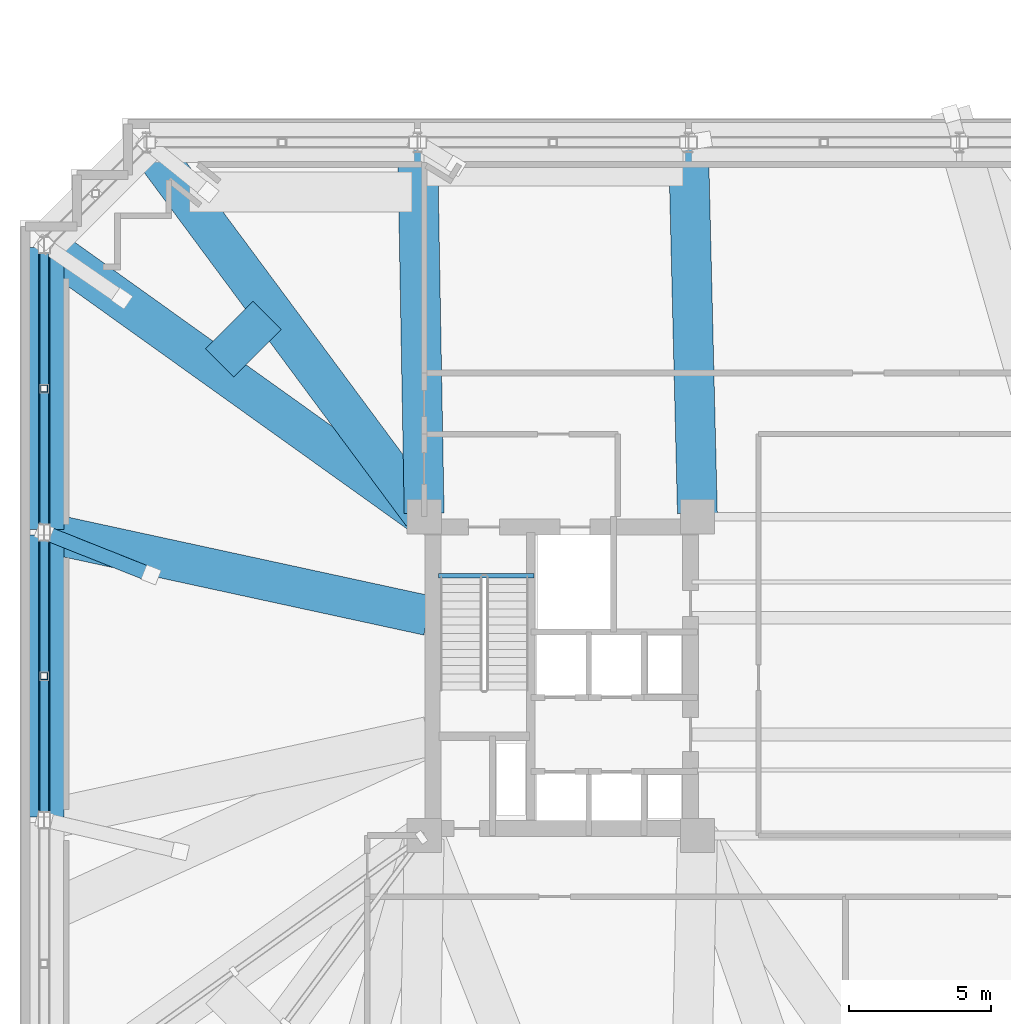
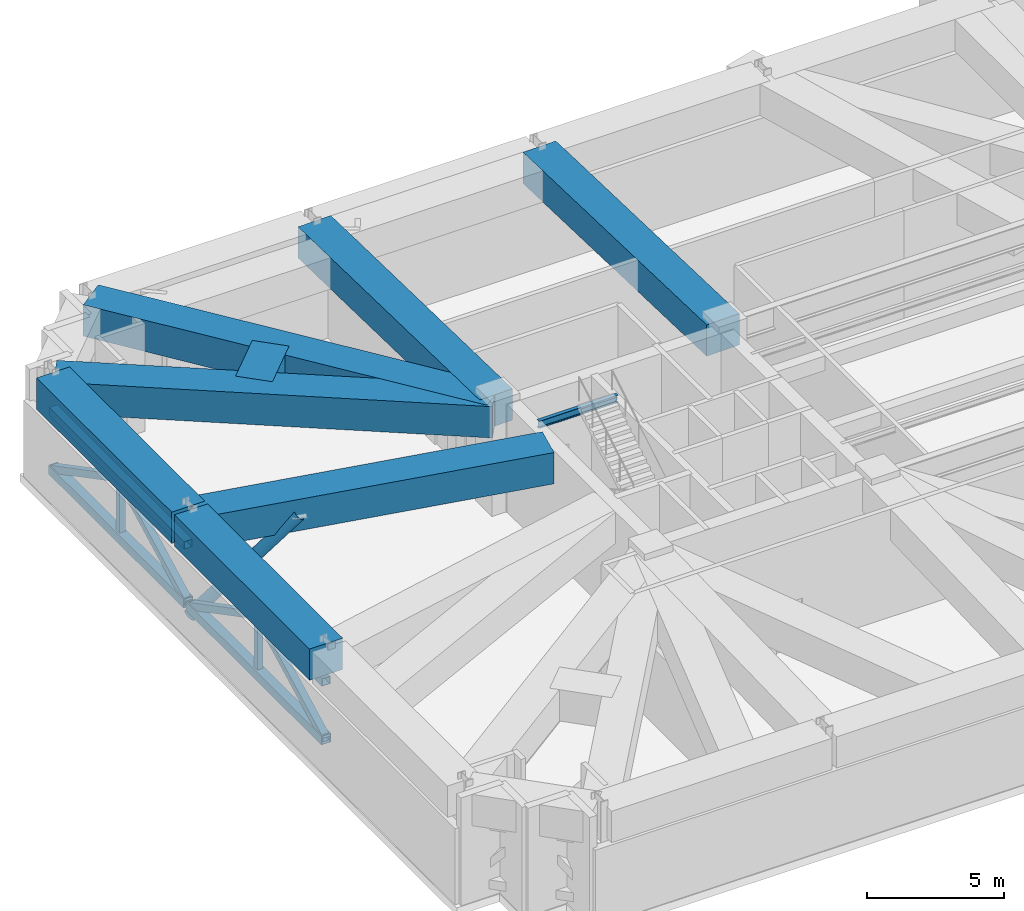
# One storey, part 5 of 20: 11 members, 9 beams.
"""IFC4 building model written with IfcOpenShell, lengths in metres."""

from ifc_helpers import new_model, si_unit, direction, frame, origin, origin_2d, place, context, subcontext, project, spatial, rectangle, hollow_rectangle, hollow_circle, i_section, extrude, material, material_profile, profile_set, type_object, element, save


model = new_model("IFC4")

# Units and contexts
model_context = context("Model", 3, precision=1e-05, world=origin(), true_north=direction((0.0, 1.0)))
body_context = subcontext(model_context, "Body", "Model", "MODEL_VIEW")
ifc_project = project(units=[si_unit("LENGTHUNIT", "METRE"), si_unit("AREAUNIT", "SQUARE_METRE"), si_unit("VOLUMEUNIT", "CUBIC_METRE"), si_unit("PLANEANGLEUNIT", "RADIAN"), si_unit("MASSUNIT", "GRAM", prefix="KILO")], contexts=[model_context])

# Site, building, storey
site_placement = place(None, origin())
site = spatial("IfcSite", under=ifc_project, at=site_placement, CompositionType="ELEMENT")
building_placement = place(site_placement, origin())
building = spatial("IfcBuilding", under=site, at=building_placement, Name="Qobustan Lattice House", CompositionType="ELEMENT")
storey_placement = place(building_placement, frame((0.0, 0.0, 73.89990234375)))
storey = spatial("IfcBuildingStorey", under=building, at=storey_placement, Name="L20", CompositionType="ELEMENT", Elevation=73.89990234375)

# Beams
ifc_material_1 = material(Name="Steel S355", Category="steel")
ifc_material_profile_1 = material_profile(ifc_material_1, i_section(OverallWidth=0.159912109375, OverallDepth=0.330078125, WebThickness=0.007568359375, FlangeThickness=0.011474609375, FilletRadius=0.01806640625, at=origin_2d()), Name="IPE330")
ifc_profile_set_1 = profile_set([ifc_material_profile_1], Name="Steel S355")
beam_type_1 = type_object("IfcBeamType", Name="BM-SPD-IPE330", PredefinedType="SPANDREL", material=ifc_profile_set_1)
beam_1_placement = place(storey_placement, frame((-18.300048828125, 3.52001953125, 4.655029296875), z_axis=(1.0, 0.0, 0.0), x_axis=(0.0, 1.0, 0.0)))
element("IfcBeam", 1, at=beam_1_placement, inside=storey, type_object=beam_type_1, Name="L20 west stair landing trimmer beam", PredefinedType="SPANDREL", context=body_context, shape_type="SweptSolid", body=[
    extrude(i_section(OverallWidth=0.159912109375, OverallDepth=0.330078125, WebThickness=0.007568359375, FlangeThickness=0.011474609375, FilletRadius=0.01806640625, at=origin_2d()), origin(), (0.0, 0.0, 1.0), 3.35009765625),
])
ifc_material_2 = material(Name="Concrete C60/75", Category="concrete")
ifc_material_profile_2 = material_profile(ifc_material_2, rectangle(XDim=1.39990234375, YDim=1.39990234375, at=origin_2d()), Name="RC1400x1400")
ifc_profile_set_2 = profile_set([ifc_material_profile_2], Name="Concrete C60/75")
beam_type_2 = type_object("IfcBeamType", Name="BM-TRG-RC1400", PredefinedType="USERDEFINED", material=ifc_profile_set_2)
beam_2_placement = place(storey_placement, frame((-32.14990234375, 15.050048828125, 4.1201171875), z_axis=(0.0, -1.0, 0.0), x_axis=(1.0, 0.0, 0.0)))
element("IfcBeam", 2, at=beam_2_placement, inside=storey, type_object=beam_type_2, Name="L20 TT1 lower perimeter transfer girder W1-W2", ObjectType="GIRDER", PredefinedType="USERDEFINED", context=body_context, shape_type="SweptSolid", body=[
    extrude(rectangle(XDim=1.39990234375, YDim=1.39990234375, at=origin_2d()), origin(), (0.0, 0.0, 1.0), 9.900146484375),
])
beam_3_placement = place(storey_placement, frame((-32.14990234375, 4.949951171875, 4.1201171875), z_axis=(0.0, -1.0, 0.0), x_axis=(1.0, 0.0, 0.0)))
element("IfcBeam", 3, at=beam_3_placement, inside=storey, type_object=beam_type_2, Name="L20 TT1 lower perimeter transfer girder W2-W3", ObjectType="GIRDER", PredefinedType="USERDEFINED", context=body_context, shape_type="SweptSolid", body=[
    extrude(rectangle(XDim=1.39990234375, YDim=1.39990234375, at=origin_2d()), origin(), (0.0, 0.0, 1.0), 9.89990234375),
])
beam_4_placement = place(storey_placement, frame((-9.202880859375, 5.719970703125, 4.1201171875), z_axis=(-0.024085750634, 0.999709896228, 0.0), x_axis=(-0.999709896228, -0.024085750634, 0.0)))
element("IfcBeam", 4, at=beam_4_placement, inside=storey, type_object=beam_type_2, Name="L20 TT1 radial transfer girder N5", ObjectType="GIRDER", PredefinedType="USERDEFINED", context=body_context, shape_type="SweptSolid", body=[
    extrude(rectangle(XDim=1.39990234375, YDim=1.39990234375, at=origin_2d()), origin(), (0.0, 0.0, 1.0), 12.91357421875),
])
beam_5_placement = place(storey_placement, frame((-18.802001953125, 5.719970703125, 4.1201171875), z_axis=(-0.017754722816, 0.999842372486, 0.0), x_axis=(-0.999842372486, -0.017754722816, 0.0)))
element("IfcBeam", 5, at=beam_5_placement, inside=storey, type_object=beam_type_2, Name="L20 TT1 radial transfer girder N6", ObjectType="GIRDER", PredefinedType="USERDEFINED", context=body_context, shape_type="SweptSolid", body=[
    extrude(rectangle(XDim=1.39990234375, YDim=1.39990234375, at=origin_2d()), origin(), (0.0, 0.0, 1.0), 12.911865234375),
])
beam_6_placement = place(storey_placement, frame((-18.87158203125, 5.6962890625, 4.1201171875), z_axis=(-0.595585839157, 0.803291670688, 0.0), x_axis=(-0.803291670688, -0.595585839157, 0.0)))
element("IfcBeam", 6, at=beam_6_placement, inside=storey, type_object=beam_type_2, Name="L20 TT1 radial transfer girder N7", ObjectType="GIRDER", PredefinedType="USERDEFINED", context=body_context, shape_type="SweptSolid", body=[
    extrude(rectangle(XDim=1.39990234375, YDim=1.39990234375, at=origin_2d()), origin(), (0.0, 0.0, 1.0), 16.130126953125),
])
beam_7_placement = place(storey_placement, frame((-18.897705078125, 5.669921875, 4.1201171875), z_axis=(-0.813327350359, 0.581806343347, 0.0), x_axis=(-0.581806343347, -0.813327350359, 0.0)))
element("IfcBeam", 7, at=beam_7_placement, inside=storey, type_object=beam_type_2, Name="L20 TT1 radial transfer girder W1", ObjectType="GIRDER", PredefinedType="USERDEFINED", context=body_context, shape_type="SweptSolid", body=[
    extrude(rectangle(XDim=1.39990234375, YDim=1.39990234375, at=origin_2d()), origin(), (0.0, 0.0, 1.0), 16.174072265625),
])
beam_8_placement = place(storey_placement, frame((-18.667236328125, 2.12548828125, 4.1201171875), z_axis=(-0.977272930784, 0.211984949366, 0.0), x_axis=(-0.211984949366, -0.977272930784, 0.0)))
element("IfcBeam", 8, at=beam_8_placement, inside=storey, type_object=beam_type_2, Name="L20 TT1 radial transfer girder W2", ObjectType="GIRDER", PredefinedType="USERDEFINED", context=body_context, shape_type="SweptSolid", body=[
    extrude(rectangle(XDim=1.39990234375, YDim=1.39990234375, at=origin_2d()), origin(), (0.0, 0.0, 1.0), 13.67626953125),
])
beam_9_placement = place(storey_placement, frame((-24.318115234375, 12.677001953125, 4.1201171875), z_axis=(-0.707055056174, -0.707158502415, 0.0), x_axis=(0.707158502415, -0.707055056174, 0.0)))
element("IfcBeam", 9, at=beam_9_placement, inside=storey, type_object=beam_type_2, Name="L20 TT1 quadrant transfer tie girder 2", ObjectType="GIRDER", PredefinedType="USERDEFINED", context=body_context, shape_type="SweptSolid", body=[
    extrude(rectangle(XDim=1.39990234375, YDim=1.39990234375, at=origin_2d()), origin(), (0.0, 0.0, 1.0), 2.360107421875),
])

# Members
ifc_material_3 = material(Name="Steel S355", Category="steel")
ifc_material_profile_3 = material_profile(ifc_material_3, hollow_rectangle(XDim=0.300048828125, YDim=0.300048828125, WallThickness=0.01611328125, at=origin_2d()), Name="SHS300x300x16")
ifc_profile_set_3 = profile_set([ifc_material_profile_3], Name="Steel S355")
member_type_1 = type_object("IfcMemberType", Name="MEM-BRC-SHS300", PredefinedType="BRACE", material=ifc_profile_set_3)
member_1_placement = place(storey_placement, frame((-32.14990234375, 15.050048828125, 0.550048828125), z_axis=(0.0, -0.886033314842, 0.463621575199), x_axis=(1.0, 0.0, 0.0)))
element("IfcMember", 10, at=member_1_placement, inside=storey, type_object=member_type_1, Name="L20 TT1 belt truss web diagonal W1-W2 A", PredefinedType="BRACE", context=body_context, shape_type="SweptSolid", body=[
    extrude(hollow_rectangle(XDim=0.300048828125, YDim=0.300048828125, WallThickness=0.01611328125, at=origin_2d()), origin(), (0.0, 0.0, 1.0), 5.586669921875),
])
member_2_placement = place(storey_placement, frame((-32.14990234375, 10.10009765625, 3.14013671875), z_axis=(0.0, -0.886042707559, -0.463603624211), x_axis=(1.0, 0.0, 0.0)))
element("IfcMember", 11, at=member_2_placement, inside=storey, type_object=member_type_1, Name="L20 TT1 belt truss web diagonal W1-W2 B", PredefinedType="BRACE", context=body_context, shape_type="SweptSolid", body=[
    extrude(hollow_rectangle(XDim=0.300048828125, YDim=0.300048828125, WallThickness=0.01611328125, at=origin_2d()), origin(), (0.0, 0.0, 1.0), 5.5869140625),
])
for number, where, z_axis, x_axis, name in (
    (12, (-32.14990234375, 4.949951171875, 0.550048828125), (0.0, -0.886033314842, 0.463621575199), (1.0, 0.0, 0.0), "L20 TT1 belt truss web diagonal W2-W3 A"),
    (13, (-32.14990234375, 0.0, 3.14013671875), (0.0, -0.886033314842, -0.463621575199), (1.0, 0.0, 0.0), "L20 TT1 belt truss web diagonal W2-W3 B"),
):
    element("IfcMember", number, at=place(storey_placement, frame(where, z_axis=z_axis, x_axis=x_axis)), inside=storey, type_object=member_type_1, Name=name, PredefinedType="BRACE", context=body_context, shape_type="SweptSolid", body=[
        extrude(hollow_rectangle(XDim=0.300048828125, YDim=0.300048828125, WallThickness=0.01611328125, at=origin_2d()), origin(), (0.0, 0.0, 1.0), 5.586669921875),
    ])
ifc_material_4 = material(Name="Steel S355", Category="steel")
ifc_material_profile_4 = material_profile(ifc_material_4, hollow_rectangle(XDim=0.35009765625, YDim=0.35009765625, WallThickness=0.01611328125, at=origin_2d()), Name="SHS350x350x16")
ifc_profile_set_4 = profile_set([ifc_material_profile_4], Name="Steel S355")
member_type_2 = type_object("IfcMemberType", Name="MEM-CHD-SHS350", PredefinedType="CHORD", material=ifc_profile_set_4)
member_3_placement = place(storey_placement, frame((-32.14990234375, 15.050048828125, 3.14013671875), z_axis=(0.0, -1.0, 0.0), x_axis=(1.0, 0.0, 0.0)))
element("IfcMember", 14, at=member_3_placement, inside=storey, type_object=member_type_2, Name="L20 TT1 belt truss top chord W1-W2", PredefinedType="CHORD", context=body_context, shape_type="SweptSolid", body=[
    extrude(hollow_rectangle(XDim=0.35009765625, YDim=0.35009765625, WallThickness=0.01611328125, at=origin_2d()), origin(), (0.0, 0.0, 1.0), 9.900146484375),
])
member_4_placement = place(storey_placement, frame((-32.14990234375, 4.949951171875, 3.14013671875), z_axis=(0.0, -1.0, 0.0), x_axis=(1.0, 0.0, 0.0)))
element("IfcMember", 15, at=member_4_placement, inside=storey, type_object=member_type_2, Name="L20 TT1 belt truss top chord W2-W3", PredefinedType="CHORD", context=body_context, shape_type="SweptSolid", body=[
    extrude(hollow_rectangle(XDim=0.35009765625, YDim=0.35009765625, WallThickness=0.01611328125, at=origin_2d()), origin(), (0.0, 0.0, 1.0), 9.89990234375),
])
ifc_material_5 = material(Name="Steel S355", Category="steel")
ifc_material_profile_5 = material_profile(ifc_material_5, hollow_rectangle(XDim=0.39990234375, YDim=0.39990234375, WallThickness=0.02001953125, at=origin_2d()), Name="SHS400x400x20")
ifc_profile_set_5 = profile_set([ifc_material_profile_5], Name="Steel S355")
member_type_3 = type_object("IfcMemberType", Name="MEM-CHD-SHS400", PredefinedType="CHORD", material=ifc_profile_set_5)
member_5_placement = place(storey_placement, frame((-32.14990234375, 15.050048828125, 0.550048828125), z_axis=(0.0, -1.0, 0.0), x_axis=(1.0, 0.0, 0.0)))
element("IfcMember", 16, at=member_5_placement, inside=storey, type_object=member_type_3, Name="L20 TT1 belt truss bottom chord W1-W2", PredefinedType="CHORD", context=body_context, shape_type="SweptSolid", body=[
    extrude(hollow_rectangle(XDim=0.39990234375, YDim=0.39990234375, WallThickness=0.02001953125, at=origin_2d()), origin(), (0.0, 0.0, 1.0), 9.900146484375),
])
member_6_placement = place(storey_placement, frame((-32.14990234375, 4.949951171875, 0.550048828125), z_axis=(0.0, -1.0, 0.0), x_axis=(1.0, 0.0, 0.0)))
element("IfcMember", 17, at=member_6_placement, inside=storey, type_object=member_type_3, Name="L20 TT1 belt truss bottom chord W2-W3", PredefinedType="CHORD", context=body_context, shape_type="SweptSolid", body=[
    extrude(hollow_rectangle(XDim=0.39990234375, YDim=0.39990234375, WallThickness=0.02001953125, at=origin_2d()), origin(), (0.0, 0.0, 1.0), 9.89990234375),
])
ifc_material_6 = material(Name="Steel S355", Category="steel")
ifc_material_profile_6 = material_profile(ifc_material_6, hollow_rectangle(XDim=0.25, YDim=0.25, WallThickness=0.012451171875, at=origin_2d()), Name="SHS250x250x12.5")
ifc_profile_set_6 = profile_set([ifc_material_profile_6], Name="Steel S355")
member_type_4 = type_object("IfcMemberType", Name="MEM-PST-SHS250", PredefinedType="POST", material=ifc_profile_set_6)
for number, where, z_axis, x_axis, name in (
    (18, (-32.14990234375, 10.10009765625, 0.550048828125), (0.0, 0.0, 1.0), (1.0, 0.0, 0.0), "L20 TT1 belt truss vertical post W1-W2"),
    (19, (-32.14990234375, 0.0, 0.550048828125), (0.0, 0.0, 1.0), (1.0, 0.0, 0.0), "L20 TT1 belt truss vertical post W2-W3"),
):
    element("IfcMember", number, at=place(storey_placement, frame(where, z_axis=z_axis, x_axis=x_axis)), inside=storey, type_object=member_type_4, Name=name, PredefinedType="POST", context=body_context, shape_type="SweptSolid", body=[
        extrude(hollow_rectangle(XDim=0.25, YDim=0.25, WallThickness=0.012451171875, at=origin_2d()), origin(), (0.0, 0.0, 1.0), 2.590087890625),
    ])
ifc_material_7 = material(Name="Steel S355", Category="steel")
ifc_material_profile_7 = material_profile(ifc_material_7, hollow_circle(Radius=0.25390625, WallThickness=0.02001953125, at=origin_2d()), Name="CHS508x20")
ifc_profile_set_7 = profile_set([ifc_material_profile_7], Name="Steel S355")
member_type_5 = type_object("IfcMemberType", Name="MEM-STR-CHS508", PredefinedType="STRUT", material=ifc_profile_set_7)
member_7_placement = place(storey_placement, frame((-32.14990234375, 5.050048828125, 0.01513671875), z_axis=(0.651591930592, -0.259229116583, 0.712901270235), x_axis=(0.369659590963, 0.929167254486, 0.0)))
element("IfcMember", 20, at=member_7_placement, inside=storey, type_object=member_type_5, Name="L20 TT1 column transfer strut W2", PredefinedType="STRUT", context=body_context, shape_type="SweptSolid", body=[
    extrude(hollow_circle(Radius=0.25390625, WallThickness=0.02001953125, at=origin_2d()), origin(), (0.0, 0.0, 1.0), 5.758056640625),
])

save(model, "model.ifc")
